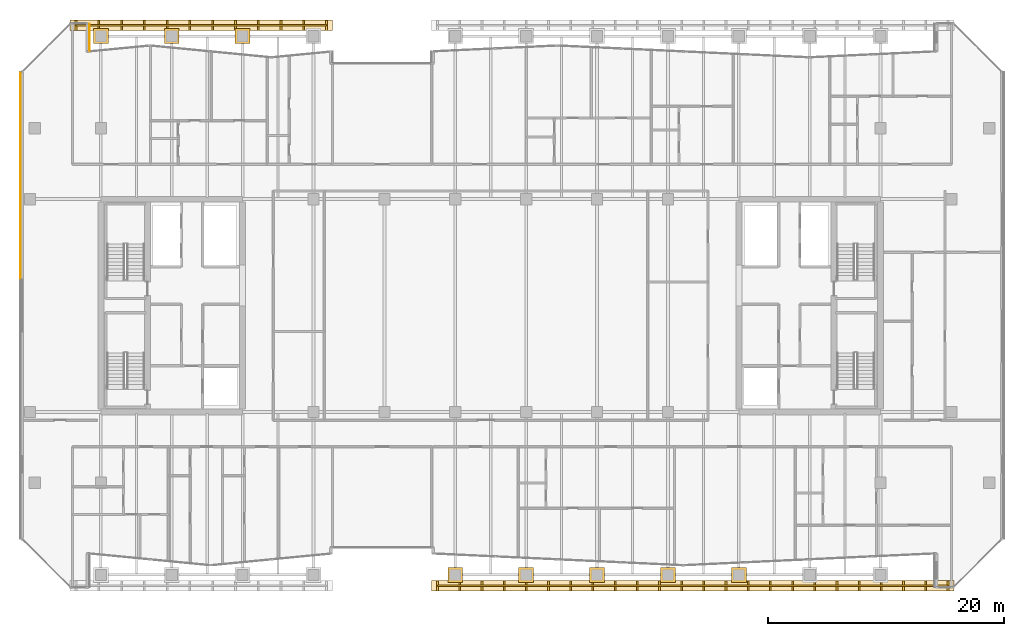
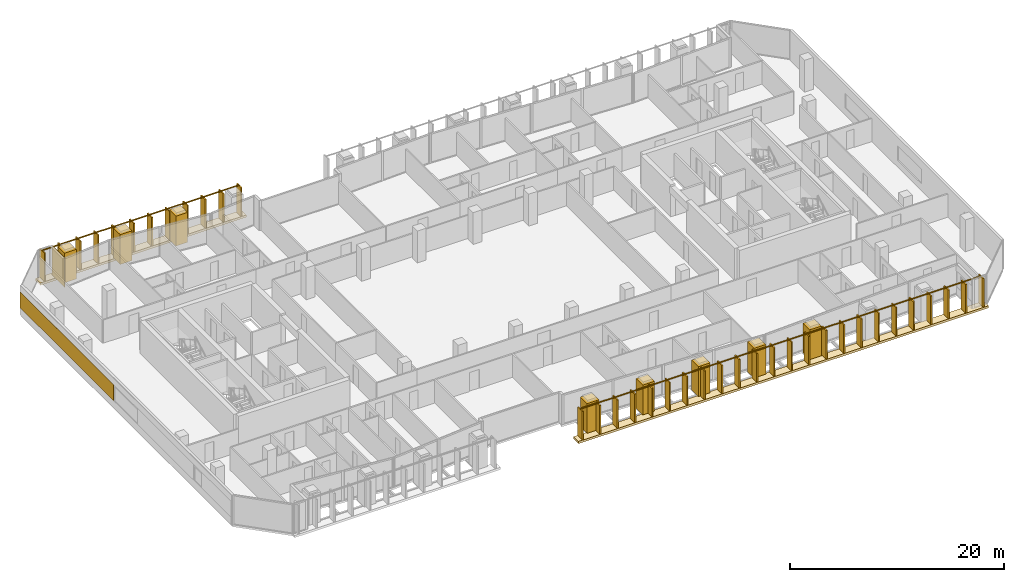
# One storey, part 36 of 39: 12 coverings, 2 railings.
"""IFC4 building model written with IfcOpenShell, lengths in metres."""

from ifc_helpers import new_model, si_unit, direction, frame, origin, origin_2d, place, context, subcontext, project, spatial, rectangle, extrude, material, layer, layer_set, type_object, element, save


model = new_model("IFC4")

# Units and contexts
model_context = context("Model", 3, precision=1e-05, world=origin(), true_north=direction((0.0, 1.0)))
body_context = subcontext(model_context, "Body", "Model", "MODEL_VIEW")
ifc_project = project(units=[si_unit("LENGTHUNIT", "METRE"), si_unit("AREAUNIT", "SQUARE_METRE"), si_unit("VOLUMEUNIT", "CUBIC_METRE"), si_unit("PLANEANGLEUNIT", "RADIAN"), si_unit("MASSUNIT", "GRAM", prefix="KILO")], contexts=[model_context])

# Site, building, storey
site_placement = place(None, origin())
site = spatial("IfcSite", under=ifc_project, at=site_placement, CompositionType="ELEMENT")
building_placement = place(site_placement, origin())
building = spatial("IfcBuilding", under=site, at=building_placement, Name="Tanjung Sevakor Pilgrim Tower", CompositionType="ELEMENT")
storey_placement = place(building_placement, frame((0.0, 0.0, 112.199951171875)))
storey = spatial("IfcBuildingStorey", under=building, at=storey_placement, Name="L31", CompositionType="ELEMENT", Elevation=112.199951171875)

# Coverings
ifc_material_1 = material(Name="Reconstructed Limestone Cladding", Category="masonry")
ifc_layer = layer(ifc_material_1, 0.044921875)
ifc_layer_set = layer_set([ifc_layer], Name="COV-CLAD-LIMESTONE")
covering_type = type_object("IfcCoveringType", Name="COV-CLAD-LIMESTONE", PredefinedType="CLADDING", material=ifc_layer_set)
covering_1_placement = place(storey_placement, frame((23.0224609375, 56.278564453125, 0.02001953125), z_axis=(0.0, 0.0, 1.0), x_axis=(0.0, 1.0, 0.0)))
element("IfcCovering", 1, at=covering_1_placement, inside=storey, type_object=covering_type, Name="L31 Warm Limestone Wall Cladding EW-L31-MAIN-32", PredefinedType="CLADDING", context=body_context, shape_type="SweptSolid", body=[
    extrude(rectangle(XDim=2.352783203125, YDim=0.044921875, at=origin_2d()), origin(), (0.0, 0.0, 1.0), 3.3701171875),
])
covering_2_placement = place(storey_placement, frame((17.177490234375, 44.5791015625, 0.85009765625), z_axis=(0.0, 0.0, 1.0), x_axis=(0.0, -1.0, 0.0)))
element("IfcCovering", 2, at=covering_2_placement, inside=storey, type_object=covering_type, Name="L31 Warm Limestone Pier Panel EW-L31-MAIN-35-1", PredefinedType="CLADDING", context=body_context, shape_type="SweptSolid", body=[
    extrude(rectangle(XDim=17.458251953125, YDim=0.044921875, at=origin_2d()), origin(), (0.0, 0.0, 1.0), 1.81005859375),
])
for number, where, z_axis, x_axis, name in (
    (3, (24.0, 56.39990234375, 0.01025390625), (0.0, 0.0, 1.0), (1.0, 0.0, 0.0), "L31 Colonnade Pier Limestone Casing 26"),
    (4, (30.0, 56.39990234375, 0.01025390625), (0.0, 0.0, 1.0), (1.0, 0.0, 0.0), "L31 Colonnade Pier Limestone Casing 28"),
    (5, (36.0, 56.39990234375, 0.01025390625), (0.0, 0.0, 1.0), (1.0, 0.0, 0.0), "L31 Colonnade Pier Limestone Casing 30"),
    (6, (54.0, 10.800048828125, 0.01025390625), (0.0, 0.0, 1.0), (1.0, 0.0, 0.0), "L31 Colonnade Pier Limestone Casing 33"),
    (7, (60.0, 10.800048828125, 0.01025390625), (0.0, 0.0, 1.0), (1.0, 0.0, 0.0), "L31 Colonnade Pier Limestone Casing 35"),
    (8, (66.0, 10.800048828125, 0.01025390625), (0.0, 0.0, 1.0), (1.0, 0.0, 0.0), "L31 Colonnade Pier Limestone Casing 37"),
    (9, (72.0, 10.800048828125, 0.01025390625), (0.0, 0.0, 1.0), (1.0, 0.0, 0.0), "L31 Colonnade Pier Limestone Casing 39"),
    (10, (78.0, 10.800048828125, 0.01025390625), (0.0, 0.0, 1.0), (1.0, 0.0, 0.0), "L31 Colonnade Pier Limestone Casing 41"),
):
    element("IfcCovering", number, at=place(storey_placement, frame(where, z_axis=z_axis, x_axis=x_axis)), inside=storey, type_object=covering_type, Name=name, PredefinedType="CLADDING", context=body_context, shape_type="SweptSolid", body=[
        extrude(rectangle(XDim=1.260009765625, YDim=1.260009765625, at=origin_2d()), origin(), (0.0, 0.0, 1.0), 3.389892578125),
    ])
covering_3_placement = place(storey_placement, frame((32.5, 57.320068359375, -0.25), z_axis=(0.0, 0.0, 1.0), x_axis=(1.0, 0.0, 0.0)))
element("IfcCovering", 11, at=covering_3_placement, inside=storey, type_object=covering_type, Name="L31 S-Curve Outer Fin Tie Sill NW", PredefinedType="CLADDING", context=body_context, shape_type="SweptSolid", body=[
    extrude(rectangle(XDim=22.199951171875, YDim=0.89990234375, at=origin_2d()), origin(), (0.0, 0.0, 1.0), 0.260009765625),
])
covering_4_placement = place(storey_placement, frame((74.10009765625, 9.8798828125, -0.25), z_axis=(0.0, 0.0, 1.0), x_axis=(1.0, 0.0, 0.0)))
element("IfcCovering", 12, at=covering_4_placement, inside=storey, type_object=covering_type, Name="L31 S-Curve Outer Fin Tie Sill SE", PredefinedType="CLADDING", context=body_context, shape_type="SweptSolid", body=[
    extrude(rectangle(XDim=44.199951171875, YDim=0.89990234375, at=origin_2d()), origin(), (0.0, 0.0, 1.0), 0.260009765625),
])

# Railings
ifc_material_2 = material(Name="Anodised Bronze Aluminium 6063-T6", Category="aluminium")
railing_type = type_object("IfcRailingType", Name="RL-FIN-SCREEN", PredefinedType="BALUSTRADE", material=ifc_material_2)
railing_1_placement = place(storey_placement, frame((21.89990234375, 57.320068359375, 0.0)))
element("IfcRailing", 13, at=railing_1_placement, inside=storey, type_object=railing_type, Name="L31 Vertical Bronze-Gold Solar Fin Screen FN-SCGAP-L31-NW-1", PredefinedType="BALUSTRADE", context=body_context, shape_type="SweptSolid", body=[
    extrude(rectangle(XDim=0.105, YDim=0.105), frame((0.0, 0.0, 3.317626953125), z_axis=(1.0, 0.0, 0.0), x_axis=(0.0, 1.0, 0.0)), (0.0, 0.0, 1.0), 21.2001953125),
    extrude(rectangle(XDim=0.14, YDim=0.85), origin(), (0.0, 0.0, 1.0), 3.26513671875),
    extrude(rectangle(XDim=0.14, YDim=0.85), frame((1.92724609375, 0.0, 0.0)), (0.0, 0.0, 1.0), 3.26513671875),
    extrude(rectangle(XDim=0.14, YDim=0.85), frame((3.8544921875, 0.0, 0.0)), (0.0, 0.0, 1.0), 3.26513671875),
    extrude(rectangle(XDim=0.14, YDim=0.85), frame((5.781982421875, 0.0, 0.0)), (0.0, 0.0, 1.0), 3.26513671875),
    extrude(rectangle(XDim=0.14, YDim=0.85), frame((7.709228515625, 0.0, 0.0)), (0.0, 0.0, 1.0), 3.26513671875),
    extrude(rectangle(XDim=0.14, YDim=0.85), frame((9.636474609375, 0.0, 0.0)), (0.0, 0.0, 1.0), 3.26513671875),
    extrude(rectangle(XDim=0.14, YDim=0.85), frame((11.563720703125, 0.0, 0.0)), (0.0, 0.0, 1.0), 3.26513671875),
    extrude(rectangle(XDim=0.14, YDim=0.85), frame((13.490966796875, 0.0, 0.0)), (0.0, 0.0, 1.0), 3.26513671875),
    extrude(rectangle(XDim=0.14, YDim=0.85), frame((15.418212890625, 0.0, 0.0)), (0.0, 0.0, 1.0), 3.26513671875),
    extrude(rectangle(XDim=0.14, YDim=0.85), frame((17.345703125, 0.0, 0.0)), (0.0, 0.0, 1.0), 3.26513671875),
    extrude(rectangle(XDim=0.14, YDim=0.85), frame((19.27294921875, 0.0, 0.0)), (0.0, 0.0, 1.0), 3.26513671875),
    extrude(rectangle(XDim=0.14, YDim=0.85), frame((21.2001953125, 0.0, 0.0)), (0.0, 0.0, 1.0), 3.26513671875),
])
railing_2_placement = place(storey_placement, frame((52.5, 9.8798828125, 0.0)))
element("IfcRailing", 14, at=railing_2_placement, inside=storey, type_object=railing_type, Name="L31 Vertical Bronze-Gold Solar Fin Screen FN-SCGAP-L31-SE-1", PredefinedType="BALUSTRADE", context=body_context, shape_type="SweptSolid", body=[
    extrude(rectangle(XDim=0.105, YDim=0.105), frame((0.0, 0.0, 3.317626953125), z_axis=(1.0, 0.0, 0.0), x_axis=(0.0, 1.0, 0.0)), (0.0, 0.0, 1.0), 43.199951171875),
    extrude(rectangle(XDim=0.14, YDim=0.85), origin(), (0.0, 0.0, 1.0), 3.26513671875),
    extrude(rectangle(XDim=0.14, YDim=0.85), frame((1.878173828125, 0.0, 0.0)), (0.0, 0.0, 1.0), 3.26513671875),
    extrude(rectangle(XDim=0.14, YDim=0.85), frame((3.756591796875, 0.0, 0.0)), (0.0, 0.0, 1.0), 3.26513671875),
    extrude(rectangle(XDim=0.14, YDim=0.85), frame((5.634765625, 0.0, 0.0)), (0.0, 0.0, 1.0), 3.26513671875),
    extrude(rectangle(XDim=0.14, YDim=0.85), frame((7.512939453125, 0.0, 0.0)), (0.0, 0.0, 1.0), 3.26513671875),
    extrude(rectangle(XDim=0.14, YDim=0.85), frame((9.391357421875, 0.0, 0.0)), (0.0, 0.0, 1.0), 3.26513671875),
    extrude(rectangle(XDim=0.14, YDim=0.85), frame((11.26953125, 0.0, 0.0)), (0.0, 0.0, 1.0), 3.26513671875),
    extrude(rectangle(XDim=0.14, YDim=0.85), frame((13.147705078125, 0.0, 0.0)), (0.0, 0.0, 1.0), 3.26513671875),
    extrude(rectangle(XDim=0.14, YDim=0.85), frame((15.026123046875, 0.0, 0.0)), (0.0, 0.0, 1.0), 3.26513671875),
    extrude(rectangle(XDim=0.14, YDim=0.85), frame((16.904296875, 0.0, 0.0)), (0.0, 0.0, 1.0), 3.26513671875),
    extrude(rectangle(XDim=0.14, YDim=0.85), frame((18.782470703125, 0.0, 0.0)), (0.0, 0.0, 1.0), 3.26513671875),
    extrude(rectangle(XDim=0.14, YDim=0.85), frame((20.660888671875, 0.0, 0.0)), (0.0, 0.0, 1.0), 3.26513671875),
    extrude(rectangle(XDim=0.14, YDim=0.85), frame((22.5390625, 0.0, 0.0)), (0.0, 0.0, 1.0), 3.26513671875),
    extrude(rectangle(XDim=0.14, YDim=0.85), frame((24.41748046875, 0.0, 0.0)), (0.0, 0.0, 1.0), 3.26513671875),
    extrude(rectangle(XDim=0.14, YDim=0.85), frame((26.295654296875, 0.0, 0.0)), (0.0, 0.0, 1.0), 3.26513671875),
    extrude(rectangle(XDim=0.14, YDim=0.85), frame((28.173828125, 0.0, 0.0)), (0.0, 0.0, 1.0), 3.26513671875),
    extrude(rectangle(XDim=0.14, YDim=0.85), frame((30.05224609375, 0.0, 0.0)), (0.0, 0.0, 1.0), 3.26513671875),
    extrude(rectangle(XDim=0.14, YDim=0.85), frame((31.930419921875, 0.0, 0.0)), (0.0, 0.0, 1.0), 3.26513671875),
    extrude(rectangle(XDim=0.14, YDim=0.85), frame((33.80859375, 0.0, 0.0)), (0.0, 0.0, 1.0), 3.26513671875),
    extrude(rectangle(XDim=0.14, YDim=0.85), frame((35.68701171875, 0.0, 0.0)), (0.0, 0.0, 1.0), 3.26513671875),
    extrude(rectangle(XDim=0.14, YDim=0.85), frame((37.565185546875, 0.0, 0.0)), (0.0, 0.0, 1.0), 3.26513671875),
    extrude(rectangle(XDim=0.14, YDim=0.85), frame((39.443359375, 0.0, 0.0)), (0.0, 0.0, 1.0), 3.26513671875),
    extrude(rectangle(XDim=0.14, YDim=0.85), frame((41.32177734375, 0.0, 0.0)), (0.0, 0.0, 1.0), 3.26513671875),
    extrude(rectangle(XDim=0.14, YDim=0.85), frame((43.199951171875, 0.0, 0.0)), (0.0, 0.0, 1.0), 3.26513671875),
])

save(model, "model.ifc")
